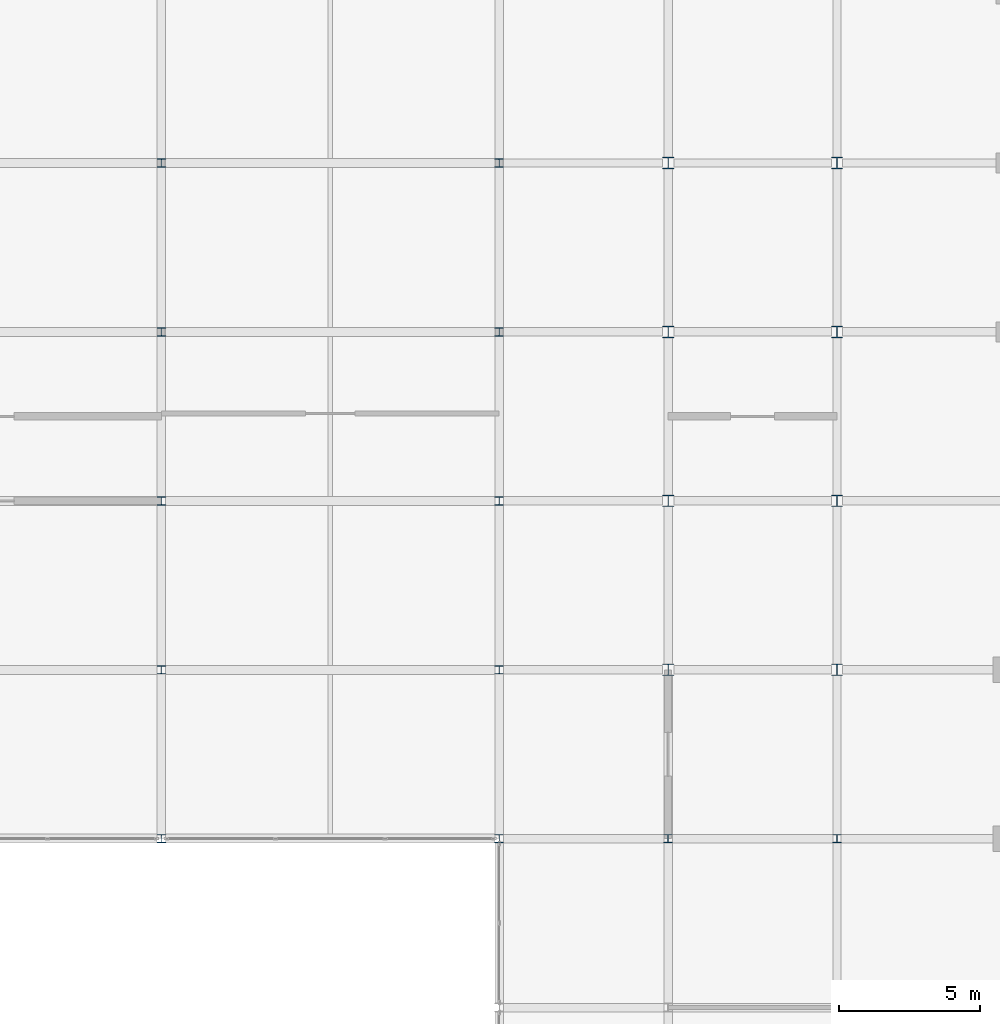
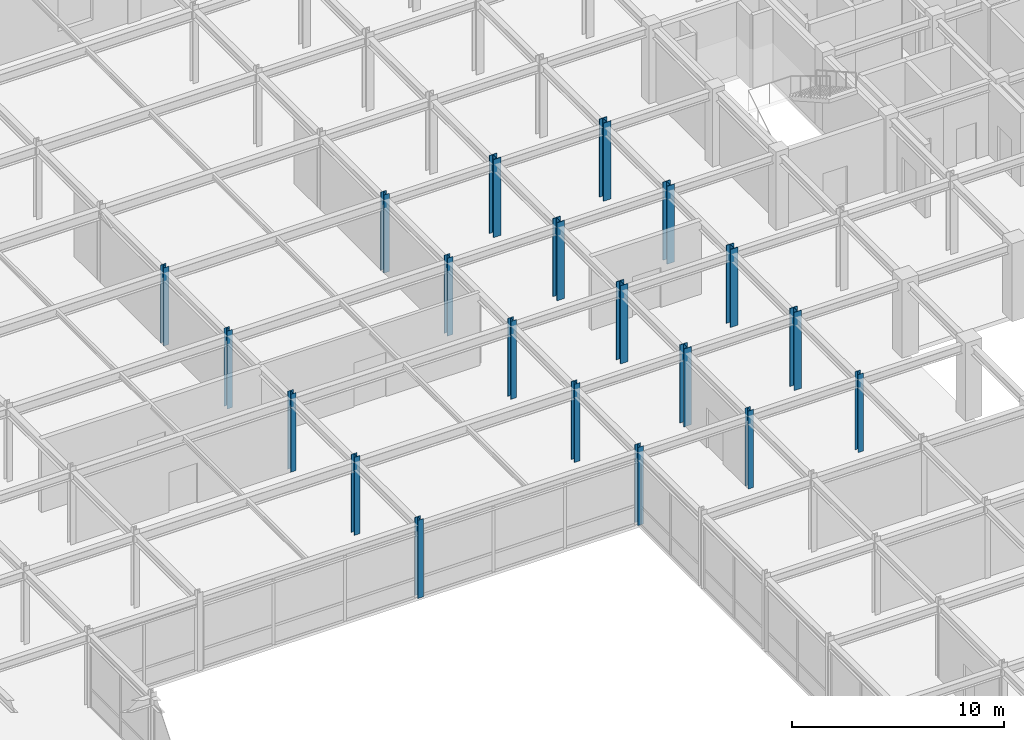
# One storey, part 11 of 108: 20 columns.
"""IFC4 building model written with IfcOpenShell, lengths in metres."""

from ifc_helpers import new_model, si_unit, direction, frame, origin, origin_2d, place, context, subcontext, project, spatial, i_section, extrude, material, material_profile, profile_set, type_object, element, save


model = new_model("IFC4")

# Units and contexts
model_context = context("Model", 3, precision=1e-05, world=origin(), true_north=direction((0.0, 1.0)))
body_context = subcontext(model_context, "Body", "Model", "MODEL_VIEW")
ifc_project = project(units=[si_unit("LENGTHUNIT", "METRE"), si_unit("AREAUNIT", "SQUARE_METRE"), si_unit("VOLUMEUNIT", "CUBIC_METRE"), si_unit("PLANEANGLEUNIT", "RADIAN"), si_unit("MASSUNIT", "GRAM", prefix="KILO")], contexts=[model_context])

# Site, building, storey
site_placement = place(None, origin())
site = spatial("IfcSite", under=ifc_project, at=site_placement, CompositionType="ELEMENT")
building_placement = place(site_placement, origin())
building = spatial("IfcBuilding", under=site, at=building_placement, Name="Zlatovratsky Civic Hall", CompositionType="ELEMENT")
storey_placement = place(building_placement, frame((0.0, 0.0, 12.0)))
storey = spatial("IfcBuildingStorey", under=building, at=storey_placement, Name="L03", CompositionType="ELEMENT", Elevation=12.0)

# Columns
ifc_material = material(Name="Steel S355", Category="steel")
ifc_material_profile_1 = material_profile(ifc_material, i_section(OverallWidth=0.299072265625, OverallDepth=0.2958984375, WebThickness=0.009033203125, FlangeThickness=0.013916015625, FilletRadius=0.01806640625, at=origin_2d()), Name="30K1")
ifc_profile_set_1 = profile_set([ifc_material_profile_1], Name="Steel S355")
column_type_1 = type_object("IfcColumnType", Name="Col_Steel_30K1", PredefinedType="COLUMN", material=ifc_profile_set_1)
for number, where, z_axis, x_axis, name in (
    (1, (36.0, 66.0, 0.0), (0.0, 0.0, 1.0), (1.0, 0.0, 0.0), "CL-1353"),
    (2, (48.0, 66.0, 0.0), (0.0, 0.0, 1.0), (1.0, 0.0, 0.0), "CL-1354"),
    (3, (54.0, 66.0, 0.0), (0.0, 0.0, 1.0), (1.0, 0.0, 0.0), "CL-1355"),
    (4, (60.0, 66.0, 0.0), (0.0, 0.0, 1.0), (1.0, 0.0, 0.0), "CL-1356"),
    (5, (36.0, 72.0, 0.0), (0.0, 0.0, 1.0), (1.0, 0.0, 0.0), "CL-1371"),
    (6, (48.0, 72.0, 0.0), (0.0, 0.0, 1.0), (1.0, 0.0, 0.0), "CL-1372"),
    (7, (36.0, 78.0, 0.0), (0.0, 0.0, 1.0), (1.0, 0.0, 0.0), "CL-1394"),
    (8, (48.0, 78.0, 0.0), (0.0, 0.0, 1.0), (1.0, 0.0, 0.0), "CL-1395"),
    (9, (36.0, 84.0, 0.0), (0.0, 0.0, 1.0), (1.0, 0.0, 0.0), "CL-1417"),
    (10, (48.0, 84.0, 0.0), (0.0, 0.0, 1.0), (1.0, 0.0, 0.0), "CL-1418"),
    (11, (36.0, 90.0, 0.0), (0.0, 0.0, 1.0), (1.0, 0.0, 0.0), "CL-1440"),
    (12, (48.0, 90.0, 0.0), (0.0, 0.0, 1.0), (1.0, 0.0, 0.0), "CL-1441"),
):
    element("IfcColumn", number, at=place(storey_placement, frame(where, z_axis=z_axis, x_axis=x_axis)), inside=storey, type_object=column_type_1, Name=name, PredefinedType="COLUMN", context=body_context, shape_type="SweptSolid", body=[
        extrude(i_section(OverallWidth=0.299072265625, OverallDepth=0.2958984375, WebThickness=0.009033203125, FlangeThickness=0.013916015625, FilletRadius=0.01806640625, at=origin_2d()), origin(), (0.0, 0.0, 1.0), 4.5),
    ])
ifc_material_profile_2 = material_profile(ifc_material, i_section(OverallWidth=0.405029296875, OverallDepth=0.41796875, WebThickness=0.02001953125, FlangeThickness=0.030029296875, FilletRadius=0.02197265625, at=origin_2d()), Name="40K4")
ifc_profile_set_2 = profile_set([ifc_material_profile_2], Name="Steel S355")
column_type_2 = type_object("IfcColumnType", Name="Col_Steel_40K4", PredefinedType="COLUMN", material=ifc_profile_set_2)
for number, where, z_axis, x_axis, name in (
    (13, (54.0, 72.0, 0.0), (0.0, 0.0, 1.0), (1.0, 0.0, 0.0), "CL-1373"),
    (14, (60.0, 72.0, 0.0), (0.0, 0.0, 1.0), (1.0, 0.0, 0.0), "CL-1374"),
    (15, (54.0, 78.0, 0.0), (0.0, 0.0, 1.0), (1.0, 0.0, 0.0), "CL-1396"),
    (16, (60.0, 78.0, 0.0), (0.0, 0.0, 1.0), (1.0, 0.0, 0.0), "CL-1397"),
    (17, (54.0, 84.0, 0.0), (0.0, 0.0, 1.0), (1.0, 0.0, 0.0), "CL-1419"),
    (18, (60.0, 84.0, 0.0), (0.0, 0.0, 1.0), (1.0, 0.0, 0.0), "CL-1420"),
    (19, (54.0, 90.0, 0.0), (0.0, 0.0, 1.0), (1.0, 0.0, 0.0), "CL-1442"),
    (20, (60.0, 90.0, 0.0), (0.0, 0.0, 1.0), (1.0, 0.0, 0.0), "CL-1443"),
):
    element("IfcColumn", number, at=place(storey_placement, frame(where, z_axis=z_axis, x_axis=x_axis)), inside=storey, type_object=column_type_2, Name=name, PredefinedType="COLUMN", context=body_context, shape_type="SweptSolid", body=[
        extrude(i_section(OverallWidth=0.405029296875, OverallDepth=0.41796875, WebThickness=0.02001953125, FlangeThickness=0.030029296875, FilletRadius=0.02197265625, at=origin_2d()), origin(), (0.0, 0.0, 1.0), 4.5),
    ])

save(model, "model.ifc")
